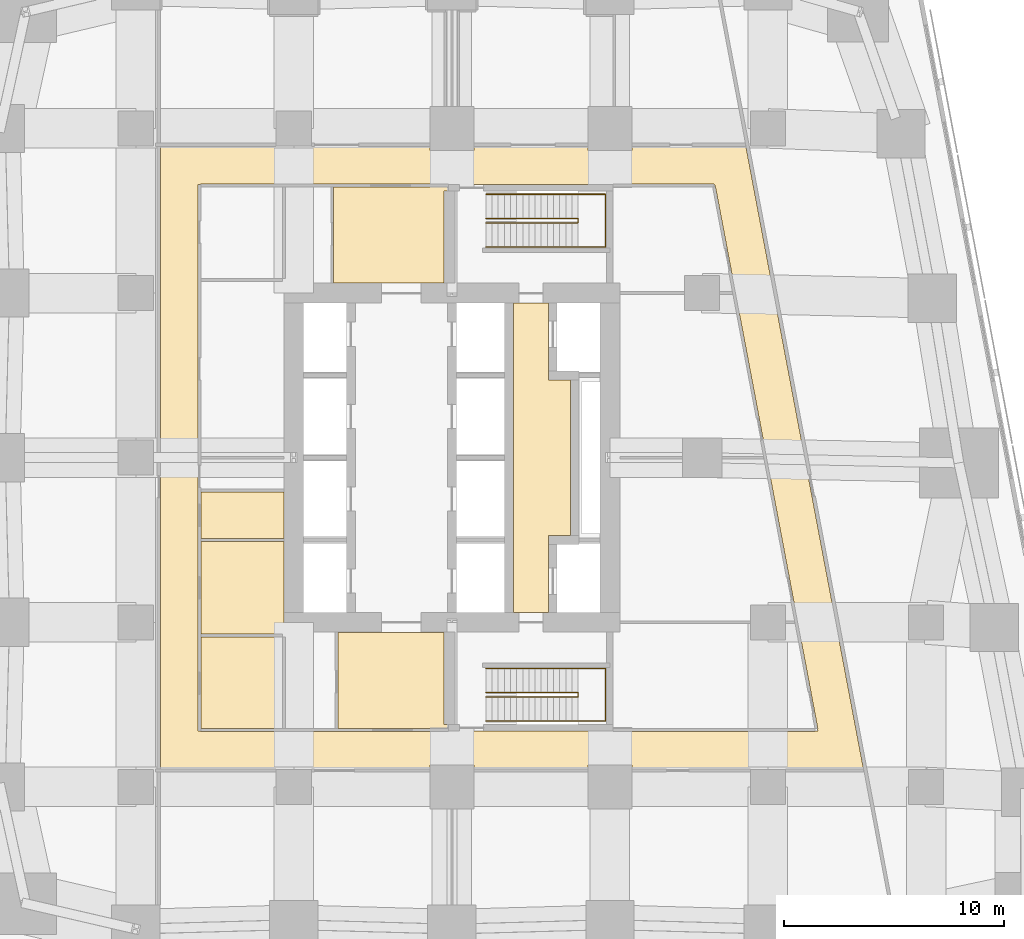
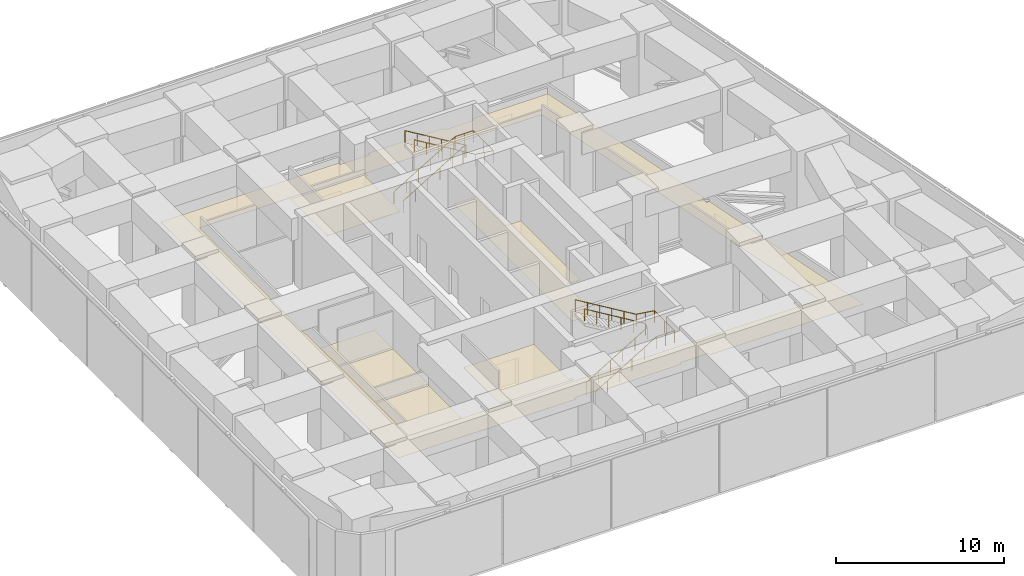
# One storey, part 10 of 10: 7 coverings, 4 railings.
"""IFC4 building model written with IfcOpenShell, lengths in metres."""

from ifc_helpers import new_model, si_unit, direction, frame, origin, origin_2d, place, context, subcontext, project, spatial, polyline, circle, outline, extrude, material, layer, layer_set, type_object, element, save


model = new_model("IFC4")

# Units and contexts
model_context = context("Model", 3, precision=1e-05, world=origin(), true_north=direction((0.0, 1.0)))
body_context = subcontext(model_context, "Body", "Model", "MODEL_VIEW")
ifc_project = project(units=[si_unit("LENGTHUNIT", "METRE"), si_unit("AREAUNIT", "SQUARE_METRE"), si_unit("VOLUMEUNIT", "CUBIC_METRE"), si_unit("PLANEANGLEUNIT", "RADIAN"), si_unit("MASSUNIT", "GRAM", prefix="KILO")], contexts=[model_context])

# Site, building, storey
site_placement = place(None, origin())
site = spatial("IfcSite", under=ifc_project, at=site_placement, CompositionType="ELEMENT")
building_placement = place(site_placement, origin())
building = spatial("IfcBuilding", under=site, at=building_placement, Name="Sheger Commons Tower", CompositionType="ELEMENT")
storey_placement = place(building_placement, frame((0.0, 0.0, 130.39990234375)))
storey = spatial("IfcBuildingStorey", under=building, at=storey_placement, Name="L33", CompositionType="ELEMENT", Elevation=130.39990234375)

# Railings
ifc_material_1 = material(Name="Steel handrail, black powder-coated", Category="steel")
railing_type = type_object("IfcRailingType", Name="HANDRAIL 900", PredefinedType="HANDRAIL", material=ifc_material_1)
railing_1_placement = place(storey_placement, frame((23.14990234375, 11.60009765625, 0.1689453125)))
element("IfcRailing", 1, at=railing_1_placement, inside=storey, type_object=railing_type, Name="Stair S1 handrail L33", PredefinedType="HANDRAIL", context=body_context, shape_type="SweptSolid", body=[
    extrude(circle(Radius=0.02392578125, at=origin_2d()), frame((0.0, 0.0, 0.8759765625), z_axis=(0.856489757249, 0.0, 0.516164020179), x_axis=(0.0, 1.0, 0.0)), (0.0, 0.0, 1.0), 4.904052734375),
    extrude(circle(Radius=0.02392578125, at=origin_2d()), frame((4.2001953125, 0.0, 3.4072265625), z_axis=(0.0, 0.764305856904, 0.644853903688), x_axis=(-1.0, 0.0, 0.0)), (0.0, 0.0, 1.0), 0.26171875),
    extrude(circle(Radius=0.02392578125, at=origin_2d()), frame((4.2001953125, 0.199951171875, 3.57568359375), z_axis=(-0.856489757249, 0.0, 0.516164020179), x_axis=(0.0, -1.0, 0.0)), (0.0, 0.0, 1.0), 4.904052734375),
    extrude(circle(Radius=0.02099609375, at=origin_2d()), origin(), (0.0, 0.0, 1.0), 0.851806640625),
    extrude(circle(Radius=0.02099609375, at=origin_2d()), frame((0.840087890625, 0.0, 0.50634765625)), (0.0, 0.0, 1.0), 0.851806640625),
    extrude(circle(Radius=0.02099609375, at=origin_2d()), frame((1.68017578125, 0.0, 1.012451171875)), (0.0, 0.0, 1.0), 0.851806640625),
    extrude(circle(Radius=0.02099609375, at=origin_2d()), frame((2.52001953125, 0.0, 1.518798828125)), (0.0, 0.0, 1.0), 0.851806640625),
    extrude(circle(Radius=0.02099609375, at=origin_2d()), frame((3.360107421875, 0.0, 2.02490234375)), (0.0, 0.0, 1.0), 0.851806640625),
    extrude(circle(Radius=0.02099609375, at=origin_2d()), frame((4.2001953125, 0.0, 2.53125)), (0.0, 0.0, 1.0), 0.851806640625),
    extrude(circle(Radius=0.02099609375, at=origin_2d()), frame((4.2001953125, 0.199951171875, 2.699951171875)), (0.0, 0.0, 1.0), 0.851806640625),
    extrude(circle(Radius=0.02099609375, at=origin_2d()), frame((3.360107421875, 0.199951171875, 3.206298828125)), (0.0, 0.0, 1.0), 0.851806640625),
    extrude(circle(Radius=0.02099609375, at=origin_2d()), frame((2.52001953125, 0.199951171875, 3.71240234375)), (0.0, 0.0, 1.0), 0.851806640625),
    extrude(circle(Radius=0.02099609375, at=origin_2d()), frame((1.68017578125, 0.199951171875, 4.21875)), (0.0, 0.0, 1.0), 0.851806640625),
    extrude(circle(Radius=0.02099609375, at=origin_2d()), frame((0.840087890625, 0.199951171875, 4.724853515625)), (0.0, 0.0, 1.0), 0.851806640625),
    extrude(circle(Radius=0.02099609375, at=origin_2d()), frame((0.0, 0.199951171875, 5.231201171875)), (0.0, 0.0, 1.0), 0.851806640625),
])
railing_2_placement = place(storey_placement, frame((23.14990234375, 10.5, 0.1689453125)))
element("IfcRailing", 2, at=railing_2_placement, inside=storey, type_object=railing_type, Name="Stair S1 handrail L33", PredefinedType="HANDRAIL", context=body_context, shape_type="SweptSolid", body=[
    extrude(circle(Radius=0.02392578125, at=origin_2d()), frame((0.0, 0.0, 0.8759765625), z_axis=(0.856489757249, 0.0, 0.516164020179), x_axis=(0.0, 1.0, 0.0)), (0.0, 0.0, 1.0), 4.904052734375),
    extrude(circle(Radius=0.02392578125, at=origin_2d()), frame((4.2001953125, 0.0, 3.4072265625), z_axis=(1.0, 0.0, 0.0), x_axis=(0.0, 1.0, 0.0)), (0.0, 0.0, 1.0), 1.25),
    extrude(circle(Radius=0.02392578125, at=origin_2d()), frame((5.4501953125, 0.0, 3.4072265625), z_axis=(0.0, 1.0, 0.0), x_axis=(-1.0, 0.0, 0.0)), (0.0, 0.0, 1.0), 2.39990234375),
    extrude(circle(Radius=0.02392578125, at=origin_2d()), frame((5.4501953125, 2.39990234375, 3.4072265625), z_axis=(-0.991015326251, 0.0, 0.133748357508), x_axis=(0.0, -1.0, 0.0)), (0.0, 0.0, 1.0), 1.26123046875),
    extrude(circle(Radius=0.02392578125, at=origin_2d()), frame((4.2001953125, 2.39990234375, 3.57568359375), z_axis=(-0.856489757249, 0.0, 0.516164020179), x_axis=(0.0, -1.0, 0.0)), (0.0, 0.0, 1.0), 4.904052734375),
    extrude(circle(Radius=0.02099609375, at=origin_2d()), origin(), (0.0, 0.0, 1.0), 0.851806640625),
    extrude(circle(Radius=0.02099609375, at=origin_2d()), frame((0.840087890625, 0.0, 0.50634765625)), (0.0, 0.0, 1.0), 0.851806640625),
    extrude(circle(Radius=0.02099609375, at=origin_2d()), frame((1.68017578125, 0.0, 1.012451171875)), (0.0, 0.0, 1.0), 0.851806640625),
    extrude(circle(Radius=0.02099609375, at=origin_2d()), frame((2.52001953125, 0.0, 1.518798828125)), (0.0, 0.0, 1.0), 0.851806640625),
    extrude(circle(Radius=0.02099609375, at=origin_2d()), frame((3.360107421875, 0.0, 2.02490234375)), (0.0, 0.0, 1.0), 0.851806640625),
    extrude(circle(Radius=0.02099609375, at=origin_2d()), frame((4.2001953125, 0.0, 2.53125)), (0.0, 0.0, 1.0), 0.851806640625),
    extrude(circle(Radius=0.02099609375, at=origin_2d()), frame((4.8251953125, 0.0, 2.53125)), (0.0, 0.0, 1.0), 0.851806640625),
    extrude(circle(Radius=0.02099609375, at=origin_2d()), frame((5.4501953125, 0.0, 2.53125)), (0.0, 0.0, 1.0), 0.851806640625),
    extrude(circle(Radius=0.02099609375, at=origin_2d()), frame((5.4501953125, 1.199951171875, 2.53125)), (0.0, 0.0, 1.0), 0.851806640625),
    extrude(circle(Radius=0.02099609375, at=origin_2d()), frame((5.4501953125, 2.39990234375, 2.53125)), (0.0, 0.0, 1.0), 0.851806640625),
    extrude(circle(Radius=0.02099609375, at=origin_2d()), frame((4.8251953125, 2.39990234375, 2.61572265625)), (0.0, 0.0, 1.0), 0.851806640625),
    extrude(circle(Radius=0.02099609375, at=origin_2d()), frame((4.2001953125, 2.39990234375, 2.699951171875)), (0.0, 0.0, 1.0), 0.851806640625),
    extrude(circle(Radius=0.02099609375, at=origin_2d()), frame((3.360107421875, 2.39990234375, 3.206298828125)), (0.0, 0.0, 1.0), 0.851806640625),
    extrude(circle(Radius=0.02099609375, at=origin_2d()), frame((2.52001953125, 2.39990234375, 3.71240234375)), (0.0, 0.0, 1.0), 0.851806640625),
    extrude(circle(Radius=0.02099609375, at=origin_2d()), frame((1.68017578125, 2.39990234375, 4.21875)), (0.0, 0.0, 1.0), 0.851806640625),
    extrude(circle(Radius=0.02099609375, at=origin_2d()), frame((0.840087890625, 2.39990234375, 4.724853515625)), (0.0, 0.0, 1.0), 0.851806640625),
    extrude(circle(Radius=0.02099609375, at=origin_2d()), frame((0.0, 2.39990234375, 5.231201171875)), (0.0, 0.0, 1.0), 0.851806640625),
])
railing_3_placement = place(storey_placement, frame((23.14990234375, 33.39990234375, 0.1689453125)))
element("IfcRailing", 3, at=railing_3_placement, inside=storey, type_object=railing_type, Name="Stair S2 handrail L33", PredefinedType="HANDRAIL", context=body_context, shape_type="SweptSolid", body=[
    extrude(circle(Radius=0.02392578125, at=origin_2d()), frame((0.0, 0.0, 0.8759765625), z_axis=(0.856489757249, 0.0, 0.516164020179), x_axis=(0.0, 1.0, 0.0)), (0.0, 0.0, 1.0), 4.904052734375),
    extrude(circle(Radius=0.02392578125, at=origin_2d()), frame((4.2001953125, 0.0, 3.4072265625), z_axis=(0.0, -0.764305856904, 0.644853903688), x_axis=(1.0, 0.0, 0.0)), (0.0, 0.0, 1.0), 0.26171875),
    extrude(circle(Radius=0.02392578125, at=origin_2d()), frame((4.2001953125, -0.199951171875, 3.57568359375), z_axis=(-0.856489757249, 0.0, 0.516164020179), x_axis=(0.0, -1.0, 0.0)), (0.0, 0.0, 1.0), 4.904052734375),
    extrude(circle(Radius=0.02099609375, at=origin_2d()), origin(), (0.0, 0.0, 1.0), 0.851806640625),
    extrude(circle(Radius=0.02099609375, at=origin_2d()), frame((0.840087890625, 0.0, 0.50634765625)), (0.0, 0.0, 1.0), 0.851806640625),
    extrude(circle(Radius=0.02099609375, at=origin_2d()), frame((1.68017578125, 0.0, 1.012451171875)), (0.0, 0.0, 1.0), 0.851806640625),
    extrude(circle(Radius=0.02099609375, at=origin_2d()), frame((2.52001953125, 0.0, 1.518798828125)), (0.0, 0.0, 1.0), 0.851806640625),
    extrude(circle(Radius=0.02099609375, at=origin_2d()), frame((3.360107421875, 0.0, 2.02490234375)), (0.0, 0.0, 1.0), 0.851806640625),
    extrude(circle(Radius=0.02099609375, at=origin_2d()), frame((4.2001953125, 0.0, 2.53125)), (0.0, 0.0, 1.0), 0.851806640625),
    extrude(circle(Radius=0.02099609375, at=origin_2d()), frame((4.2001953125, -0.199951171875, 2.699951171875)), (0.0, 0.0, 1.0), 0.851806640625),
    extrude(circle(Radius=0.02099609375, at=origin_2d()), frame((3.360107421875, -0.199951171875, 3.206298828125)), (0.0, 0.0, 1.0), 0.851806640625),
    extrude(circle(Radius=0.02099609375, at=origin_2d()), frame((2.52001953125, -0.199951171875, 3.71240234375)), (0.0, 0.0, 1.0), 0.851806640625),
    extrude(circle(Radius=0.02099609375, at=origin_2d()), frame((1.68017578125, -0.199951171875, 4.21875)), (0.0, 0.0, 1.0), 0.851806640625),
    extrude(circle(Radius=0.02099609375, at=origin_2d()), frame((0.840087890625, -0.199951171875, 4.724853515625)), (0.0, 0.0, 1.0), 0.851806640625),
    extrude(circle(Radius=0.02099609375, at=origin_2d()), frame((0.0, -0.199951171875, 5.231201171875)), (0.0, 0.0, 1.0), 0.851806640625),
])
railing_4_placement = place(storey_placement, frame((23.14990234375, 34.5, 0.1689453125)))
element("IfcRailing", 4, at=railing_4_placement, inside=storey, type_object=railing_type, Name="Stair S2 handrail L33", PredefinedType="HANDRAIL", context=body_context, shape_type="SweptSolid", body=[
    extrude(circle(Radius=0.02392578125, at=origin_2d()), frame((0.0, 0.0, 0.8759765625), z_axis=(0.856489757249, 0.0, 0.516164020179), x_axis=(0.0, 1.0, 0.0)), (0.0, 0.0, 1.0), 4.904052734375),
    extrude(circle(Radius=0.02392578125, at=origin_2d()), frame((4.2001953125, 0.0, 3.4072265625), z_axis=(1.0, 0.0, 0.0), x_axis=(0.0, 1.0, 0.0)), (0.0, 0.0, 1.0), 1.25),
    extrude(circle(Radius=0.02392578125, at=origin_2d()), frame((5.4501953125, 0.0, 3.4072265625), z_axis=(0.0, -1.0, 0.0), x_axis=(1.0, 0.0, 0.0)), (0.0, 0.0, 1.0), 2.39990234375),
    extrude(circle(Radius=0.02392578125, at=origin_2d()), frame((5.4501953125, -2.39990234375, 3.4072265625), z_axis=(-0.991015326251, 0.0, 0.133748357508), x_axis=(0.0, -1.0, 0.0)), (0.0, 0.0, 1.0), 1.26123046875),
    extrude(circle(Radius=0.02392578125, at=origin_2d()), frame((4.2001953125, -2.39990234375, 3.57568359375), z_axis=(-0.856489757249, 0.0, 0.516164020179), x_axis=(0.0, -1.0, 0.0)), (0.0, 0.0, 1.0), 4.904052734375),
    extrude(circle(Radius=0.02099609375, at=origin_2d()), origin(), (0.0, 0.0, 1.0), 0.851806640625),
    extrude(circle(Radius=0.02099609375, at=origin_2d()), frame((0.840087890625, 0.0, 0.50634765625)), (0.0, 0.0, 1.0), 0.851806640625),
    extrude(circle(Radius=0.02099609375, at=origin_2d()), frame((1.68017578125, 0.0, 1.012451171875)), (0.0, 0.0, 1.0), 0.851806640625),
    extrude(circle(Radius=0.02099609375, at=origin_2d()), frame((2.52001953125, 0.0, 1.518798828125)), (0.0, 0.0, 1.0), 0.851806640625),
    extrude(circle(Radius=0.02099609375, at=origin_2d()), frame((3.360107421875, 0.0, 2.02490234375)), (0.0, 0.0, 1.0), 0.851806640625),
    extrude(circle(Radius=0.02099609375, at=origin_2d()), frame((4.2001953125, 0.0, 2.53125)), (0.0, 0.0, 1.0), 0.851806640625),
    extrude(circle(Radius=0.02099609375, at=origin_2d()), frame((4.8251953125, 0.0, 2.53125)), (0.0, 0.0, 1.0), 0.851806640625),
    extrude(circle(Radius=0.02099609375, at=origin_2d()), frame((5.4501953125, 0.0, 2.53125)), (0.0, 0.0, 1.0), 0.851806640625),
    extrude(circle(Radius=0.02099609375, at=origin_2d()), frame((5.4501953125, -1.199951171875, 2.53125)), (0.0, 0.0, 1.0), 0.851806640625),
    extrude(circle(Radius=0.02099609375, at=origin_2d()), frame((5.4501953125, -2.39990234375, 2.53125)), (0.0, 0.0, 1.0), 0.851806640625),
    extrude(circle(Radius=0.02099609375, at=origin_2d()), frame((4.8251953125, -2.39990234375, 2.61572265625)), (0.0, 0.0, 1.0), 0.851806640625),
    extrude(circle(Radius=0.02099609375, at=origin_2d()), frame((4.2001953125, -2.39990234375, 2.699951171875)), (0.0, 0.0, 1.0), 0.851806640625),
    extrude(circle(Radius=0.02099609375, at=origin_2d()), frame((3.360107421875, -2.39990234375, 3.206298828125)), (0.0, 0.0, 1.0), 0.851806640625),
    extrude(circle(Radius=0.02099609375, at=origin_2d()), frame((2.52001953125, -2.39990234375, 3.71240234375)), (0.0, 0.0, 1.0), 0.851806640625),
    extrude(circle(Radius=0.02099609375, at=origin_2d()), frame((1.68017578125, -2.39990234375, 4.21875)), (0.0, 0.0, 1.0), 0.851806640625),
    extrude(circle(Radius=0.02099609375, at=origin_2d()), frame((0.840087890625, -2.39990234375, 4.724853515625)), (0.0, 0.0, 1.0), 0.851806640625),
    extrude(circle(Radius=0.02099609375, at=origin_2d()), frame((0.0, -2.39990234375, 5.231201171875)), (0.0, 0.0, 1.0), 0.851806640625),
])

# Coverings
ifc_material_2 = material(Name="Moisture-resistant gypsum plasterboard 15 mm on a suspended galvanised steel grid", Category="steel")
ifc_layer_1 = layer(ifc_material_2, 0.014892578125)
ifc_layer_set_1 = layer_set([ifc_layer_1], Name="MOISTURE-RESISTANT CEILING 15")
covering_type_1 = type_object("IfcCoveringType", Name="MOISTURE-RESISTANT CEILING 15", PredefinedType="CEILING", material=ifc_layer_set_1)
covering_1_placement = place(storey_placement, frame((0.0, 0.0, 2.400146484375)))
element("IfcCovering", 5, at=covering_1_placement, inside=storey, type_object=covering_type_1, Name="L33-SVW0 ceiling", PredefinedType="CEILING", context=body_context, shape_type="SweptSolid", body=[
    extrude(outline(polyline([(10.16796875, 10.16796875), (13.882080078125, 10.16796875), (13.882080078125, 14.33203125), (10.16796875, 14.33203125), (10.16796875, 10.16796875)])), origin(), (0.0, 0.0, 1.0), 0.014892578125),
])
covering_2_placement = place(storey_placement, frame((0.0, 0.0, 2.400146484375)))
element("IfcCovering", 6, at=covering_2_placement, inside=storey, type_object=covering_type_1, Name="L33-SVW1 ceiling", PredefinedType="CEILING", context=body_context, shape_type="SweptSolid", body=[
    extrude(outline(polyline([(13.89306640625, 14.39990234375), (13.949951171875, 14.39990234375), (13.949951171875, 14.544921875), (13.945068359375, 14.544921875), (13.945068359375, 15.455078125), (13.949951171875, 15.455078125), (13.949951171875, 18.68310546875), (10.16796875, 18.68310546875), (10.16796875, 14.468017578125), (13.89306640625, 14.468017578125), (13.89306640625, 14.39990234375)])), origin(), (0.0, 0.0, 1.0), 0.014892578125),
])
covering_3_placement = place(storey_placement, frame((0.0, 0.0, 2.400146484375)))
element("IfcCovering", 7, at=covering_3_placement, inside=storey, type_object=covering_type_1, Name="L33-SVW1b ceiling", PredefinedType="CEILING", context=body_context, shape_type="SweptSolid", body=[
    extrude(outline(polyline([(10.16796875, 18.81689453125), (13.949951171875, 18.81689453125), (13.949951171875, 20.93310546875), (10.16796875, 20.93310546875), (10.16796875, 18.81689453125)])), origin(), (0.0, 0.0, 1.0), 0.014892578125),
])
ifc_material_3 = material(Name="Gypsum plasterboard 15 mm on a suspended steel grid", Category="steel")
ifc_layer_2 = layer(ifc_material_3, 0.014892578125)
ifc_layer_set_2 = layer_set([ifc_layer_2], Name="SUSPENDED CEILING 15")
covering_type_2 = type_object("IfcCoveringType", Name="SUSPENDED CEILING 15", PredefinedType="CEILING", material=ifc_layer_set_2)
covering_4_placement = place(storey_placement, frame((0.0, 0.0, 2.7001953125)))
element("IfcCovering", 8, at=covering_4_placement, inside=storey, type_object=covering_type_2, Name="L33-CO ceiling", PredefinedType="CEILING", context=body_context, shape_type="SweptSolid", body=[
    extrude(outline(polyline([(13.60400390625, 8.304931640625), (15.196044921875, 8.304931640625), (15.196044921875, 8.330078125), (20.594970703125, 8.330078125), (20.594970703125, 8.5048828125), (22.60498046875, 8.5048828125), (22.60498046875, 8.330078125), (27.794921875, 8.330078125), (27.794921875, 8.5048828125), (29.804931640625, 8.5048828125), (29.804931640625, 8.330078125), (35.2041015625, 8.330078125), (35.2041015625, 8.304931640625), (36.7958984375, 8.304931640625), (36.7958984375, 8.330078125), (40.34912109375, 8.330078125), (37.735107421875, 22.172119140625), (37.5400390625, 22.176025390625), (37.549072265625, 22.639892578125), (37.64697265625, 22.637939453125), (34.98193359375, 36.75), (34.97802734375, 36.75), (34.97802734375, 36.669921875), (33.572998046875, 36.669921875), (33.572998046875, 34.947998046875), (33.571044921875, 34.947998046875), (33.589111328125, 34.85205078125), (33.60595703125, 34.85498046875), (38.26904296875, 10.1708984375), (38.251953125, 10.1669921875), (38.27392578125, 10.050048828125), (38.14306640625, 10.050048828125), (38.14306640625, 10.031982421875), (28.945068359375, 10.031982421875), (28.945068359375, 10.044921875), (21.455078125, 10.044921875), (21.455078125, 10.031982421875), (10.157958984375, 10.031982421875), (10.157958984375, 10.044921875), (10.031982421875, 10.044921875), (10.031982421875, 22.26806640625), (9.969970703125, 22.26806640625), (9.969970703125, 22.73193359375), (10.031982421875, 22.73193359375), (10.031982421875, 34.955078125), (10.157958984375, 34.955078125), (10.157958984375, 34.968017578125), (21.455078125, 34.968017578125), (21.455078125, 34.949951171875), (28.945068359375, 34.949951171875), (28.945068359375, 34.968017578125), (33.54296875, 34.968017578125), (33.54296875, 34.949951171875), (33.568115234375, 34.949951171875), (33.568115234375, 36.669921875), (29.804931640625, 36.669921875), (29.804931640625, 36.4951171875), (27.794921875, 36.4951171875), (27.794921875, 36.669921875), (22.60498046875, 36.669921875), (22.60498046875, 36.4951171875), (20.594970703125, 36.4951171875), (20.594970703125, 36.669921875), (15.196044921875, 36.669921875), (15.196044921875, 36.695068359375), (13.60400390625, 36.695068359375), (13.60400390625, 36.669921875), (8.330078125, 36.669921875), (8.330078125, 8.330078125), (13.60400390625, 8.330078125), (13.60400390625, 8.304931640625)])), origin(), (0.0, 0.0, 1.0), 0.014892578125),
])
covering_5_placement = place(storey_placement, frame((0.0, 0.0, 2.7001953125)))
element("IfcCovering", 9, at=covering_5_placement, inside=storey, type_object=covering_type_2, Name="L33-SVS1 ceiling", PredefinedType="CEILING", context=body_context, shape_type="SweptSolid", body=[
    extrude(outline(polyline([(16.406982421875, 10.16796875), (21.445068359375, 10.16796875), (21.445068359375, 10.344970703125), (21.2451171875, 10.344970703125), (21.2451171875, 14.544921875), (16.406982421875, 14.544921875), (16.406982421875, 10.16796875)])), origin(), (0.0, 0.0, 1.0), 0.014892578125),
])
covering_6_placement = place(storey_placement, frame((0.0, 0.0, 2.7001953125)))
element("IfcCovering", 10, at=covering_6_placement, inside=storey, type_object=covering_type_2, Name="L33-SVN1 ceiling", PredefinedType="CEILING", context=body_context, shape_type="SweptSolid", body=[
    extrude(outline(polyline([(16.217041015625, 30.455078125), (21.2451171875, 30.455078125), (21.2451171875, 34.655029296875), (21.445068359375, 34.655029296875), (21.445068359375, 34.83203125), (16.217041015625, 34.83203125), (16.217041015625, 30.455078125)])), origin(), (0.0, 0.0, 1.0), 0.014892578125),
])
covering_7_placement = place(storey_placement, frame((0.0, 0.0, 2.7001953125)))
element("IfcCovering", 11, at=covering_7_placement, inside=storey, type_object=covering_type_2, Name="L33-FL ceiling", PredefinedType="CEILING", context=body_context, shape_type="SweptSolid", body=[
    extrude(outline(polyline([(24.405029296875, 15.455078125), (25.9951171875, 15.455078125), (25.9951171875, 18.955078125), (26.9951171875, 18.955078125), (26.9951171875, 26.044921875), (25.9951171875, 26.044921875), (25.9951171875, 29.544921875), (24.405029296875, 29.544921875), (24.405029296875, 15.455078125)])), origin(), (0.0, 0.0, 1.0), 0.014892578125),
])

save(model, "model.ifc")
